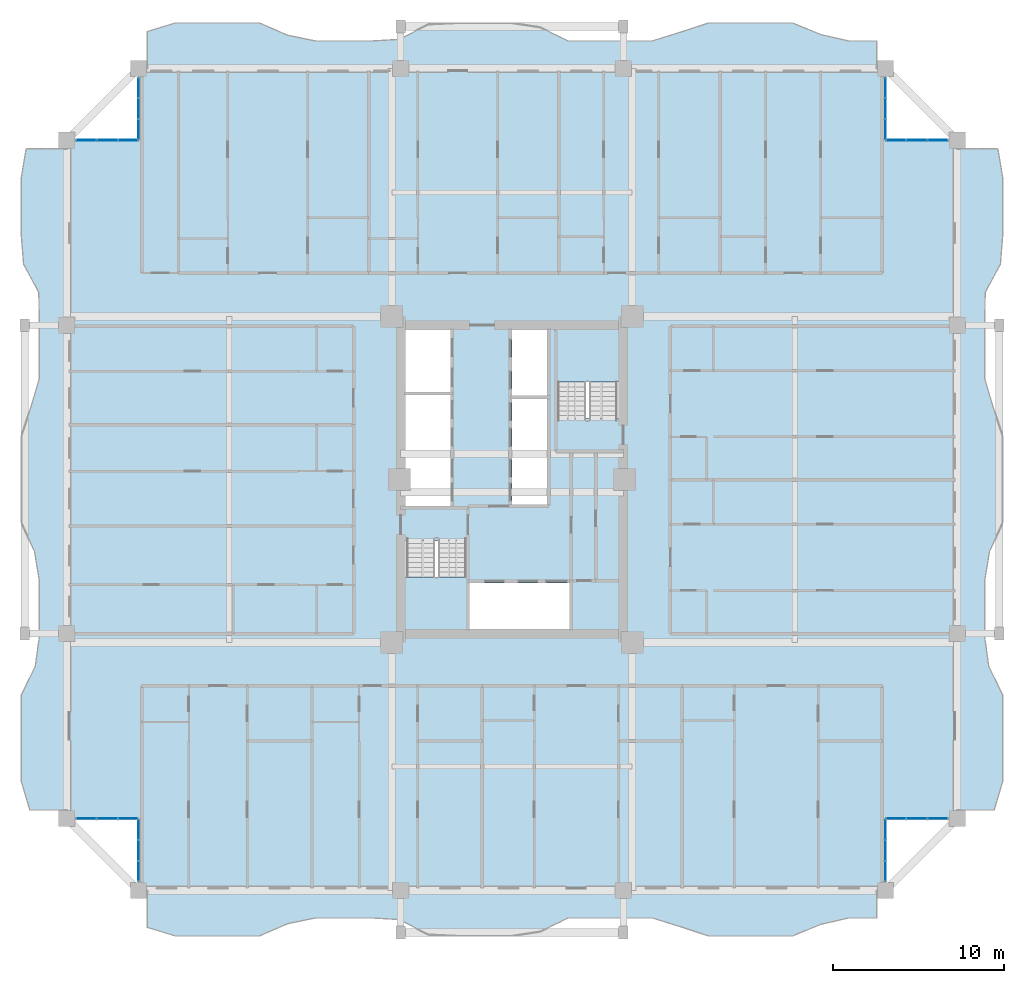
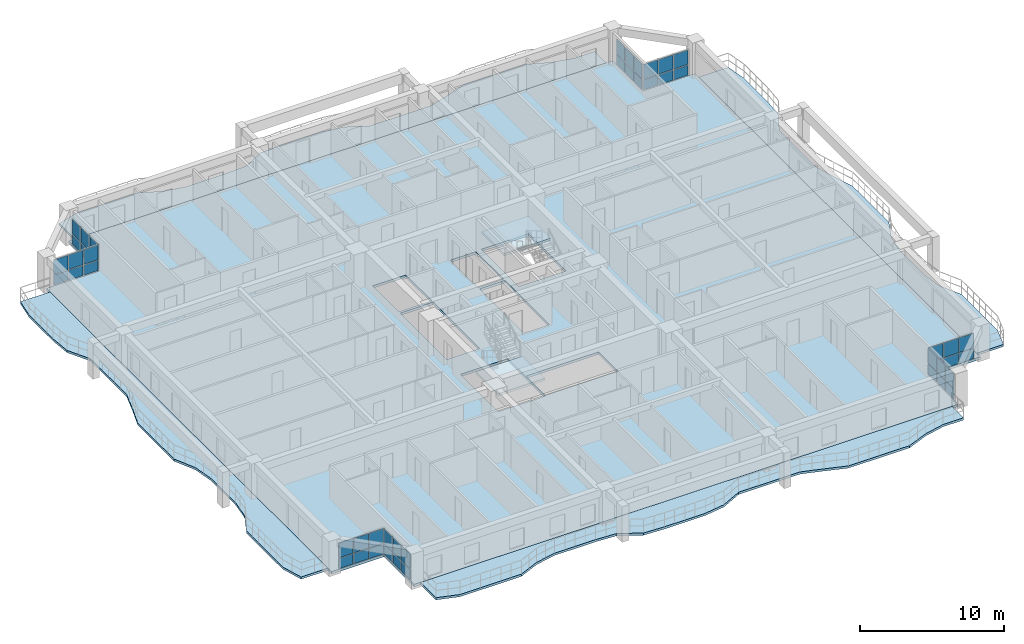
# One storey, part 13 of 26: 48 plates, 7 slabs, 10 elements without a shape of their own.
"""IFC4 building model written with IfcOpenShell, lengths in metres."""

from ifc_helpers import new_model, si_unit, direction, frame, origin, origin_2d, place, context, subcontext, project, spatial, polyline, rectangle, outline, extrude, source, transform, mapped, material, layer, layer_set, type_object, element, aggregate, save


model = new_model("IFC4")

# Units and contexts
model_context = context("Model", 3, precision=1e-05, world=origin(), true_north=direction((0.0, 1.0)))
body_context = subcontext(model_context, "Body", "Model", "MODEL_VIEW")
ifc_project = project(units=[si_unit("LENGTHUNIT", "METRE"), si_unit("AREAUNIT", "SQUARE_METRE"), si_unit("VOLUMEUNIT", "CUBIC_METRE"), si_unit("PLANEANGLEUNIT", "RADIAN"), si_unit("MASSUNIT", "GRAM", prefix="KILO")], contexts=[model_context])

# Site, building, storey
site_placement = place(None, origin())
site = spatial("IfcSite", under=ifc_project, at=site_placement, CompositionType="ELEMENT")
building_placement = place(site_placement, origin())
building = spatial("IfcBuilding", under=site, at=building_placement, Name="Saelheon Loggia Tower", CompositionType="ELEMENT")
storey_placement = place(building_placement, frame((0.0, 0.0, 89.85009765625)))
storey = spatial("IfcBuildingStorey", under=building, at=storey_placement, Name="L28", CompositionType="ELEMENT", Elevation=89.85009765625)

# Slabs
ifc_material_1 = material(Name="Precast Concrete C45/55", Category="concrete")
ifc_layer_1 = layer(ifc_material_1, 0.18994140625)
ifc_layer_set_1 = layer_set([ifc_layer_1], Name="Precast Concrete C45/55")
slab_type_1 = type_object("IfcSlabType", Name="Slab_Loggia_Ext_190", PredefinedType="FLOOR", material=ifc_layer_set_1)
slab_1_placement = place(storey_placement, frame((0.0, 0.0, -0.190185546875)))
element("IfcSlab", 1, at=slab_1_placement, inside=storey, type_object=slab_type_1, Name="L28 Loggia Balcony Slab S", PredefinedType="FLOOR", context=body_context, shape_type="SweptSolid", body=[
    extrude(outline(polyline([(16.699951171875, 0.85009765625), (18.33837890625, 0.35009765625), (19.976806640625, 0.35009765625), (21.615478515625, 0.35009765625), (23.25390625, 0.35009765625), (24.892333984375, 1.0625), (26.53076171875, 1.39990234375), (28.169189453125, 1.39990234375), (29.8076171875, 1.39990234375), (31.4462890625, 1.30517578125), (33.084716796875, 0.430419921875), (34.72314453125, 0.35009765625), (36.361572265625, 0.35009765625), (38.0, 0.35009765625), (39.638427734375, 0.6005859375), (41.27685546875, 1.39990234375), (42.915283203125, 1.39990234375), (44.5537109375, 1.39990234375), (46.1923828125, 1.39990234375), (47.830810546875, 0.8876953125), (49.46923828125, 0.35009765625), (51.107666015625, 0.35009765625), (52.74609375, 0.35009765625), (54.384521484375, 0.35009765625), (56.023193359375, 1.025146484375), (57.66162109375, 1.39990234375), (59.300048828125, 1.39990234375), (59.300048828125, 3.0), (16.699951171875, 3.0), (16.699951171875, 0.85009765625)])), origin(), (0.0, 0.0, 1.0), 0.190185546875),
])
slab_2_placement = place(storey_placement, frame((0.0, 0.0, -0.190185546875)))
element("IfcSlab", 2, at=slab_2_placement, inside=storey, type_object=slab_type_1, Name="L28 Loggia Balcony Slab N", PredefinedType="FLOOR", context=body_context, shape_type="SweptSolid", body=[
    extrude(outline(polyline([(16.699951171875, 51.0), (59.300048828125, 51.0), (59.300048828125, 52.60009765625), (57.66162109375, 52.60009765625), (56.023193359375, 52.974853515625), (54.384521484375, 53.64990234375), (52.74609375, 53.64990234375), (51.107666015625, 53.64990234375), (49.46923828125, 53.64990234375), (47.830810546875, 53.1123046875), (46.1923828125, 52.60009765625), (44.5537109375, 52.60009765625), (42.915283203125, 52.60009765625), (41.27685546875, 52.60009765625), (39.638427734375, 53.3994140625), (38.0, 53.64990234375), (36.361572265625, 53.64990234375), (34.72314453125, 53.64990234375), (33.084716796875, 53.569580078125), (31.4462890625, 52.69482421875), (29.8076171875, 52.60009765625), (28.169189453125, 52.60009765625), (26.53076171875, 52.60009765625), (24.892333984375, 52.9375), (23.25390625, 53.64990234375), (21.615478515625, 53.64990234375), (19.976806640625, 53.64990234375), (18.33837890625, 53.64990234375), (16.699951171875, 53.14990234375), (16.699951171875, 51.0)])), origin(), (0.0, 0.0, 1.0), 0.190185546875),
])
slab_3_placement = place(storey_placement, frame((0.0, 0.0, -0.190185546875)))
element("IfcSlab", 3, at=slab_3_placement, inside=storey, type_object=slab_type_1, Name="L28 Loggia Balcony Slab E", PredefinedType="FLOOR", context=body_context, shape_type="SweptSolid", body=[
    extrude(outline(polyline([(64.0, 7.699951171875), (66.14990234375, 7.699951171875), (66.64990234375, 9.37841796875), (66.64990234375, 11.056396484375), (66.64990234375, 12.73486328125), (66.64990234375, 14.4130859375), (65.83154296875, 16.09130859375), (65.60009765625, 17.76953125), (65.60009765625, 19.44775390625), (65.60009765625, 21.126220703125), (65.88232421875, 22.80419921875), (66.64990234375, 24.482666015625), (66.64990234375, 26.160888671875), (66.64990234375, 27.839111328125), (66.64990234375, 29.517333984375), (66.097900390625, 31.19580078125), (65.60009765625, 32.873779296875), (65.60009765625, 34.55224609375), (65.60009765625, 36.23046875), (65.625244140625, 37.90869140625), (66.518798828125, 39.5869140625), (66.64990234375, 41.26513671875), (66.64990234375, 42.943603515625), (66.64990234375, 44.62158203125), (66.36669921875, 46.300048828125), (64.0, 46.300048828125), (64.0, 7.699951171875)])), origin(), (0.0, 0.0, 1.0), 0.190185546875),
])
slab_4_placement = place(storey_placement, frame((0.0, 0.0, -0.190185546875)))
element("IfcSlab", 4, at=slab_4_placement, inside=storey, type_object=slab_type_1, Name="L28 Loggia Balcony Slab W", PredefinedType="FLOOR", context=body_context, shape_type="SweptSolid", body=[
    extrude(outline(polyline([(12.0, 7.699951171875), (12.0, 46.300048828125), (9.63330078125, 46.300048828125), (9.35009765625, 44.62158203125), (9.35009765625, 42.943603515625), (9.35009765625, 41.26513671875), (9.481201171875, 39.5869140625), (10.374755859375, 37.90869140625), (10.39990234375, 36.23046875), (10.39990234375, 34.55224609375), (10.39990234375, 32.873779296875), (9.902099609375, 31.19580078125), (9.35009765625, 29.517333984375), (9.35009765625, 27.839111328125), (9.35009765625, 26.160888671875), (9.35009765625, 24.482666015625), (10.11767578125, 22.80419921875), (10.39990234375, 21.126220703125), (10.39990234375, 19.44775390625), (10.39990234375, 17.76953125), (10.16845703125, 16.09130859375), (9.35009765625, 14.4130859375), (9.35009765625, 12.73486328125), (9.35009765625, 11.056396484375), (9.35009765625, 9.37841796875), (9.85009765625, 7.699951171875), (12.0, 7.699951171875)])), origin(), (0.0, 0.0, 1.0), 0.190185546875),
])

# Stair, slab
ifc_material_2 = material(Name="Concrete C40/50", Category="concrete")
stair_type = type_object("IfcStairType", Name="Stair_Escape_Core", PredefinedType="HALF_TURN_STAIR", material=ifc_material_2)
stair_1_placement = place(storey_placement, origin())
stair_1 = element("IfcStair", 5, at=stair_1_placement, inside=storey, type_object=stair_type, Name="L28 Special Escape Stair ST1", PredefinedType="HALF_TURN_STAIR")
ifc_layer_2 = layer(ifc_material_2, 0.199951171875)
ifc_layer_set_2 = layer_set([ifc_layer_2], Name="Concrete C40/50")
slab_type_2 = type_object("IfcSlabType", Name="Slab_StairLanding_ST1", PredefinedType="LANDING", material=ifc_layer_set_2)
slab_5_placement = place(storey_placement, frame((0.0, 0.0, 1.2998046875)))
slab_5 = element("IfcSlab", 6, at=slab_5_placement, type_object=slab_type_2, Name="ST1 landing 1", PredefinedType="LANDING", context=body_context, shape_type="SweptSolid", body=[
    extrude(outline(polyline([(31.7099609375, 21.31005859375), (31.7099609375, 18.2099609375), (35.469970703125, 18.2099609375), (35.469970703125, 21.31005859375), (31.7099609375, 21.31005859375)])), origin(), (0.0, 0.0, 1.0), 0.2001953125),
])
aggregate(stair_1, [slab_5])

stair_2_placement = place(storey_placement, origin())
stair_2 = element("IfcStair", 7, at=stair_2_placement, inside=storey, type_object=stair_type, Name="L28 Special Escape Stair ST2", PredefinedType="HALF_TURN_STAIR")
ifc_layer_3 = layer(ifc_material_2, 0.199951171875)
ifc_layer_set_3 = layer_set([ifc_layer_3], Name="Concrete C40/50")
slab_type_3 = type_object("IfcSlabType", Name="Slab_StairLanding_ST2", PredefinedType="LANDING", material=ifc_layer_set_3)
slab_6_placement = place(storey_placement, frame((0.0, 0.0, 1.2998046875)))
slab_6 = element("IfcSlab", 8, at=slab_6_placement, type_object=slab_type_3, Name="ST2 landing 1", PredefinedType="LANDING", context=body_context, shape_type="SweptSolid", body=[
    extrude(outline(polyline([(44.2900390625, 32.68994140625), (44.2900390625, 35.7900390625), (40.530029296875, 35.7900390625), (40.530029296875, 32.68994140625), (44.2900390625, 32.68994140625)])), origin(), (0.0, 0.0, 1.0), 0.2001953125),
])
aggregate(stair_2, [slab_6])

# Slab
ifc_layer_4 = layer(ifc_material_2, 0.2099609375)
ifc_layer_set_4 = layer_set([ifc_layer_4], Name="Concrete C40/50")
slab_type_4 = type_object("IfcSlabType", Name="Slab_Tower_210", PredefinedType="FLOOR", material=ifc_layer_set_4)
slab_7_placement = place(storey_placement, frame((0.0, 0.0, -0.210205078125)))
element("IfcSlab", 9, at=slab_7_placement, inside=storey, type_object=slab_type_4, Name="L28 Tower Floor Slab", PredefinedType="FLOOR", context=body_context, shape_type="SweptSolid", body=[
    extrude(outline(polyline([(16.199951171875, 3.0), (59.800048828125, 3.0), (59.800048828125, 7.199951171875), (64.0, 7.199951171875), (64.0, 46.800048828125), (59.800048828125, 46.800048828125), (59.800048828125, 51.0), (16.199951171875, 51.0), (16.199951171875, 46.800048828125), (12.0, 46.800048828125), (12.0, 7.199951171875), (16.199951171875, 7.199951171875), (16.199951171875, 3.0)]), holes=[polyline([(31.699951171875, 23.409912109375), (31.699951171875, 18.199951171875), (35.47998046875, 18.199951171875), (35.47998046875, 23.409912109375), (31.699951171875, 23.409912109375)]), polyline([(44.300048828125, 30.590087890625), (44.300048828125, 35.800048828125), (40.52001953125, 35.800048828125), (40.52001953125, 30.590087890625), (44.300048828125, 30.590087890625)]), polyline([(35.530029296875, 18.27490234375), (41.35009765625, 18.27490234375), (41.35009765625, 20.9599609375), (35.530029296875, 20.9599609375), (35.530029296875, 18.27490234375)]), polyline([(31.77490234375, 32.1201171875), (34.419921875, 32.1201171875), (34.419921875, 35.72509765625), (31.77490234375, 35.72509765625), (31.77490234375, 32.1201171875)]), polyline([(38.0, 31.89990234375), (40.050048828125, 31.89990234375), (40.050048828125, 35.72509765625), (38.0, 35.72509765625), (38.0, 31.89990234375)]), polyline([(31.77490234375, 25.449951171875), (34.419921875, 25.449951171875), (34.419921875, 31.919921875), (31.77490234375, 31.919921875), (31.77490234375, 25.449951171875)]), polyline([(38.0, 25.5400390625), (40.050048828125, 25.5400390625), (40.050048828125, 31.699951171875), (38.0, 31.699951171875), (38.0, 25.5400390625)])]), origin(), (0.0, 0.0, 1.0), 0.210205078125),
])

# Curtain wall, plates
ifc_material_3 = material(Name="Thermal-Break Aluminium and Triple Low-E Glass", Category="aluminium")
ifc_layer_5 = layer(ifc_material_3, 0.159912109375)
ifc_layer_set_5 = layer_set([ifc_layer_5], Name="Thermal-Break Aluminium and Triple Low-E Glass")
curtain_wall_type = type_object("IfcCurtainWallType", Name="CW_TowerLoggiaLow", PredefinedType="NOTDEFINED", material=ifc_layer_set_5)
curtain_wall_1_placement = place(storey_placement, origin())
curtain_wall_1 = element("IfcCurtainWall", 10, at=curtain_wall_1_placement, inside=storey, type_object=curtain_wall_type, Name="L28 Corner Notch Glazing SW1", PredefinedType="NOTDEFINED")
ifc_material_4 = material(Name="Triple Low-E Laminated Glazing", Category="glass")
ifc_layer_6 = layer(ifc_material_4, 0.0419921875)
ifc_layer_set_6 = layer_set([ifc_layer_6], Name="Triple Low-E Laminated Glazing")
plate_type = type_object("IfcPlateType", Name="CW_TowerLoggiaLow_Panel", PredefinedType="CURTAIN_PANEL", material=ifc_layer_set_6)
shared_shape_1 = source(origin(), body_context, "Body", "SweptSolid", [
    extrude(rectangle(XDim=1.130859375, YDim=0.0419921875, at=origin_2d()), origin(), (0.0, 0.0, 1.0), 0.8525390625),
])
plate_1_placement = place(storey_placement, frame((16.199951171875, 4.1455078125, 0.06494140625), z_axis=(0.0, 0.0, 1.0), x_axis=(0.0, 1.0, 0.0)))
plate_1 = element("IfcPlate", 11, at=plate_1_placement, type_object=plate_type, Name="CW3 panel 1.1", PredefinedType="CURTAIN_PANEL", context=body_context, shape_type="MappedRepresentation", body=[
    mapped(shared_shape_1, transform((0.0, 0.0, 0.0), scale=1.0)),
])
plate_2_placement = place(storey_placement, frame((16.199951171875, 6.569580078125, 0.06494140625), z_axis=(0.0, 0.0, 1.0), x_axis=(0.0, 1.0, 0.0)))
plate_2 = element("IfcPlate", 12, at=plate_2_placement, type_object=plate_type, Name="CW3 panel 3.1", PredefinedType="CURTAIN_PANEL", context=body_context, shape_type="MappedRepresentation", body=[
    mapped(shared_shape_1, transform((0.0, 0.0, 0.0), scale=1.0)),
])

curtain_wall_2_placement = place(storey_placement, origin())
curtain_wall_2 = element("IfcCurtainWall", 13, at=curtain_wall_2_placement, inside=storey, type_object=curtain_wall_type, Name="L28 Corner Notch Glazing SW2", PredefinedType="NOTDEFINED")
plate_3_placement = place(storey_placement, frame((13.1455078125, 7.199951171875, 0.06494140625), z_axis=(0.0, 0.0, 1.0), x_axis=(1.0, 0.0, 0.0)))
plate_3 = element("IfcPlate", 14, at=plate_3_placement, type_object=plate_type, Name="CW3 panel 1.1", PredefinedType="CURTAIN_PANEL", context=body_context, shape_type="MappedRepresentation", body=[
    mapped(shared_shape_1, transform((0.0, 0.0, 0.0), scale=1.0)),
])
plate_4_placement = place(storey_placement, frame((15.569580078125, 7.199951171875, 0.06494140625), z_axis=(0.0, 0.0, 1.0), x_axis=(1.0, 0.0, 0.0)))
plate_4 = element("IfcPlate", 15, at=plate_4_placement, type_object=plate_type, Name="CW3 panel 3.1", PredefinedType="CURTAIN_PANEL", context=body_context, shape_type="MappedRepresentation", body=[
    mapped(shared_shape_1, transform((0.0, 0.0, 0.0), scale=1.0)),
])

curtain_wall_3_placement = place(storey_placement, origin())
curtain_wall_3 = element("IfcCurtainWall", 16, at=curtain_wall_3_placement, inside=storey, type_object=curtain_wall_type, Name="L28 Corner Notch Glazing SE1", PredefinedType="NOTDEFINED")
plate_5_placement = place(storey_placement, frame((59.800048828125, 4.1455078125, 0.06494140625), z_axis=(0.0, 0.0, 1.0), x_axis=(0.0, 1.0, 0.0)))
plate_5 = element("IfcPlate", 17, at=plate_5_placement, type_object=plate_type, Name="CW3 panel 1.1", PredefinedType="CURTAIN_PANEL", context=body_context, shape_type="MappedRepresentation", body=[
    mapped(shared_shape_1, transform((0.0, 0.0, 0.0), scale=1.0)),
])
plate_6_placement = place(storey_placement, frame((59.800048828125, 6.569580078125, 0.06494140625), z_axis=(0.0, 0.0, 1.0), x_axis=(0.0, 1.0, 0.0)))
plate_6 = element("IfcPlate", 18, at=plate_6_placement, type_object=plate_type, Name="CW3 panel 3.1", PredefinedType="CURTAIN_PANEL", context=body_context, shape_type="MappedRepresentation", body=[
    mapped(shared_shape_1, transform((0.0, 0.0, 0.0), scale=1.0)),
])

curtain_wall_4_placement = place(storey_placement, origin())
curtain_wall_4 = element("IfcCurtainWall", 19, at=curtain_wall_4_placement, inside=storey, type_object=curtain_wall_type, Name="L28 Corner Notch Glazing SE2", PredefinedType="NOTDEFINED")
plate_7_placement = place(storey_placement, frame((60.430419921875, 7.199951171875, 0.06494140625), z_axis=(0.0, 0.0, 1.0), x_axis=(1.0, 0.0, 0.0)))
plate_7 = element("IfcPlate", 20, at=plate_7_placement, type_object=plate_type, Name="CW3 panel 1.1", PredefinedType="CURTAIN_PANEL", context=body_context, shape_type="MappedRepresentation", body=[
    mapped(shared_shape_1, transform((0.0, 0.0, 0.0), scale=1.0)),
])
plate_8_placement = place(storey_placement, frame((62.8544921875, 7.199951171875, 0.06494140625), z_axis=(0.0, 0.0, 1.0), x_axis=(1.0, 0.0, 0.0)))
plate_8 = element("IfcPlate", 21, at=plate_8_placement, type_object=plate_type, Name="CW3 panel 3.1", PredefinedType="CURTAIN_PANEL", context=body_context, shape_type="MappedRepresentation", body=[
    mapped(shared_shape_1, transform((0.0, 0.0, 0.0), scale=1.0)),
])

curtain_wall_5_placement = place(storey_placement, origin())
curtain_wall_5 = element("IfcCurtainWall", 22, at=curtain_wall_5_placement, inside=storey, type_object=curtain_wall_type, Name="L28 Corner Notch Glazing NW1", PredefinedType="NOTDEFINED")
plate_9_placement = place(storey_placement, frame((16.199951171875, 47.430419921875, 0.06494140625), z_axis=(0.0, 0.0, 1.0), x_axis=(0.0, 1.0, 0.0)))
plate_9 = element("IfcPlate", 23, at=plate_9_placement, type_object=plate_type, Name="CW3 panel 1.1", PredefinedType="CURTAIN_PANEL", context=body_context, shape_type="MappedRepresentation", body=[
    mapped(shared_shape_1, transform((0.0, 0.0, 0.0), scale=1.0)),
])
plate_10_placement = place(storey_placement, frame((16.199951171875, 49.8544921875, 0.06494140625), z_axis=(0.0, 0.0, 1.0), x_axis=(0.0, 1.0, 0.0)))
plate_10 = element("IfcPlate", 24, at=plate_10_placement, type_object=plate_type, Name="CW3 panel 3.1", PredefinedType="CURTAIN_PANEL", context=body_context, shape_type="MappedRepresentation", body=[
    mapped(shared_shape_1, transform((0.0, 0.0, 0.0), scale=1.0)),
])

curtain_wall_6_placement = place(storey_placement, origin())
curtain_wall_6 = element("IfcCurtainWall", 25, at=curtain_wall_6_placement, inside=storey, type_object=curtain_wall_type, Name="L28 Corner Notch Glazing NW2", PredefinedType="NOTDEFINED")
plate_11_placement = place(storey_placement, frame((13.1455078125, 46.800048828125, 0.06494140625), z_axis=(0.0, 0.0, 1.0), x_axis=(1.0, 0.0, 0.0)))
plate_11 = element("IfcPlate", 26, at=plate_11_placement, type_object=plate_type, Name="CW3 panel 1.1", PredefinedType="CURTAIN_PANEL", context=body_context, shape_type="MappedRepresentation", body=[
    mapped(shared_shape_1, transform((0.0, 0.0, 0.0), scale=1.0)),
])
plate_12_placement = place(storey_placement, frame((15.569580078125, 46.800048828125, 0.06494140625), z_axis=(0.0, 0.0, 1.0), x_axis=(1.0, 0.0, 0.0)))
plate_12 = element("IfcPlate", 27, at=plate_12_placement, type_object=plate_type, Name="CW3 panel 3.1", PredefinedType="CURTAIN_PANEL", context=body_context, shape_type="MappedRepresentation", body=[
    mapped(shared_shape_1, transform((0.0, 0.0, 0.0), scale=1.0)),
])

curtain_wall_7_placement = place(storey_placement, origin())
curtain_wall_7 = element("IfcCurtainWall", 28, at=curtain_wall_7_placement, inside=storey, type_object=curtain_wall_type, Name="L28 Corner Notch Glazing NE1", PredefinedType="NOTDEFINED")
plate_13_placement = place(storey_placement, frame((59.800048828125, 47.430419921875, 0.06494140625), z_axis=(0.0, 0.0, 1.0), x_axis=(0.0, 1.0, 0.0)))
plate_13 = element("IfcPlate", 29, at=plate_13_placement, type_object=plate_type, Name="CW3 panel 1.1", PredefinedType="CURTAIN_PANEL", context=body_context, shape_type="MappedRepresentation", body=[
    mapped(shared_shape_1, transform((0.0, 0.0, 0.0), scale=1.0)),
])
plate_14_placement = place(storey_placement, frame((59.800048828125, 49.8544921875, 0.06494140625), z_axis=(0.0, 0.0, 1.0), x_axis=(0.0, 1.0, 0.0)))
plate_14 = element("IfcPlate", 30, at=plate_14_placement, type_object=plate_type, Name="CW3 panel 3.1", PredefinedType="CURTAIN_PANEL", context=body_context, shape_type="MappedRepresentation", body=[
    mapped(shared_shape_1, transform((0.0, 0.0, 0.0), scale=1.0)),
])

curtain_wall_8_placement = place(storey_placement, origin())
curtain_wall_8 = element("IfcCurtainWall", 31, at=curtain_wall_8_placement, inside=storey, type_object=curtain_wall_type, Name="L28 Corner Notch Glazing NE2", PredefinedType="NOTDEFINED")
plate_15_placement = place(storey_placement, frame((60.430419921875, 46.800048828125, 0.06494140625), z_axis=(0.0, 0.0, 1.0), x_axis=(1.0, 0.0, 0.0)))
plate_15 = element("IfcPlate", 32, at=plate_15_placement, type_object=plate_type, Name="CW3 panel 1.1", PredefinedType="CURTAIN_PANEL", context=body_context, shape_type="MappedRepresentation", body=[
    mapped(shared_shape_1, transform((0.0, 0.0, 0.0), scale=1.0)),
])
plate_16_placement = place(storey_placement, frame((62.8544921875, 46.800048828125, 0.06494140625), z_axis=(0.0, 0.0, 1.0), x_axis=(1.0, 0.0, 0.0)))
plate_16 = element("IfcPlate", 33, at=plate_16_placement, type_object=plate_type, Name="CW3 panel 3.1", PredefinedType="CURTAIN_PANEL", context=body_context, shape_type="MappedRepresentation", body=[
    mapped(shared_shape_1, transform((0.0, 0.0, 0.0), scale=1.0)),
])

# Plate
shared_shape_2 = source(origin(), body_context, "Body", "SweptSolid", [
    extrude(rectangle(XDim=1.130859375, YDim=0.0419921875, at=origin_2d()), origin(), (0.0, 0.0, 1.0), 1.232421875),
])
plate_17_placement = place(storey_placement, frame((16.199951171875, 4.1455078125, 0.982421875), z_axis=(0.0, 0.0, 1.0), x_axis=(0.0, 1.0, 0.0)))
plate_17 = element("IfcPlate", 34, at=plate_17_placement, type_object=plate_type, Name="CW3 panel 1.2", PredefinedType="CURTAIN_PANEL", context=body_context, shape_type="MappedRepresentation", body=[
    mapped(shared_shape_2, transform((0.0, 0.0, 0.0), scale=1.0)),
])

plate_18_placement = place(storey_placement, frame((16.199951171875, 6.569580078125, 0.982421875), z_axis=(0.0, 0.0, 1.0), x_axis=(0.0, 1.0, 0.0)))
plate_18 = element("IfcPlate", 35, at=plate_18_placement, type_object=plate_type, Name="CW3 panel 3.2", PredefinedType="CURTAIN_PANEL", context=body_context, shape_type="MappedRepresentation", body=[
    mapped(shared_shape_2, transform((0.0, 0.0, 0.0), scale=1.0)),
])

plate_19_placement = place(storey_placement, frame((13.1455078125, 7.199951171875, 0.982421875), z_axis=(0.0, 0.0, 1.0), x_axis=(1.0, 0.0, 0.0)))
plate_19 = element("IfcPlate", 36, at=plate_19_placement, type_object=plate_type, Name="CW3 panel 1.2", PredefinedType="CURTAIN_PANEL", context=body_context, shape_type="MappedRepresentation", body=[
    mapped(shared_shape_2, transform((0.0, 0.0, 0.0), scale=1.0)),
])

plate_20_placement = place(storey_placement, frame((15.569580078125, 7.199951171875, 0.982421875), z_axis=(0.0, 0.0, 1.0), x_axis=(1.0, 0.0, 0.0)))
plate_20 = element("IfcPlate", 37, at=plate_20_placement, type_object=plate_type, Name="CW3 panel 3.2", PredefinedType="CURTAIN_PANEL", context=body_context, shape_type="MappedRepresentation", body=[
    mapped(shared_shape_2, transform((0.0, 0.0, 0.0), scale=1.0)),
])

plate_21_placement = place(storey_placement, frame((59.800048828125, 4.1455078125, 0.982421875), z_axis=(0.0, 0.0, 1.0), x_axis=(0.0, 1.0, 0.0)))
plate_21 = element("IfcPlate", 38, at=plate_21_placement, type_object=plate_type, Name="CW3 panel 1.2", PredefinedType="CURTAIN_PANEL", context=body_context, shape_type="MappedRepresentation", body=[
    mapped(shared_shape_2, transform((0.0, 0.0, 0.0), scale=1.0)),
])

plate_22_placement = place(storey_placement, frame((59.800048828125, 6.569580078125, 0.982421875), z_axis=(0.0, 0.0, 1.0), x_axis=(0.0, 1.0, 0.0)))
plate_22 = element("IfcPlate", 39, at=plate_22_placement, type_object=plate_type, Name="CW3 panel 3.2", PredefinedType="CURTAIN_PANEL", context=body_context, shape_type="MappedRepresentation", body=[
    mapped(shared_shape_2, transform((0.0, 0.0, 0.0), scale=1.0)),
])

plate_23_placement = place(storey_placement, frame((60.430419921875, 7.199951171875, 0.982421875), z_axis=(0.0, 0.0, 1.0), x_axis=(1.0, 0.0, 0.0)))
plate_23 = element("IfcPlate", 40, at=plate_23_placement, type_object=plate_type, Name="CW3 panel 1.2", PredefinedType="CURTAIN_PANEL", context=body_context, shape_type="MappedRepresentation", body=[
    mapped(shared_shape_2, transform((0.0, 0.0, 0.0), scale=1.0)),
])

plate_24_placement = place(storey_placement, frame((62.8544921875, 7.199951171875, 0.982421875), z_axis=(0.0, 0.0, 1.0), x_axis=(1.0, 0.0, 0.0)))
plate_24 = element("IfcPlate", 41, at=plate_24_placement, type_object=plate_type, Name="CW3 panel 3.2", PredefinedType="CURTAIN_PANEL", context=body_context, shape_type="MappedRepresentation", body=[
    mapped(shared_shape_2, transform((0.0, 0.0, 0.0), scale=1.0)),
])

plate_25_placement = place(storey_placement, frame((16.199951171875, 47.430419921875, 0.982421875), z_axis=(0.0, 0.0, 1.0), x_axis=(0.0, 1.0, 0.0)))
plate_25 = element("IfcPlate", 42, at=plate_25_placement, type_object=plate_type, Name="CW3 panel 1.2", PredefinedType="CURTAIN_PANEL", context=body_context, shape_type="MappedRepresentation", body=[
    mapped(shared_shape_2, transform((0.0, 0.0, 0.0), scale=1.0)),
])

plate_26_placement = place(storey_placement, frame((16.199951171875, 49.8544921875, 0.982421875), z_axis=(0.0, 0.0, 1.0), x_axis=(0.0, 1.0, 0.0)))
plate_26 = element("IfcPlate", 43, at=plate_26_placement, type_object=plate_type, Name="CW3 panel 3.2", PredefinedType="CURTAIN_PANEL", context=body_context, shape_type="MappedRepresentation", body=[
    mapped(shared_shape_2, transform((0.0, 0.0, 0.0), scale=1.0)),
])

plate_27_placement = place(storey_placement, frame((13.1455078125, 46.800048828125, 0.982421875), z_axis=(0.0, 0.0, 1.0), x_axis=(1.0, 0.0, 0.0)))
plate_27 = element("IfcPlate", 44, at=plate_27_placement, type_object=plate_type, Name="CW3 panel 1.2", PredefinedType="CURTAIN_PANEL", context=body_context, shape_type="MappedRepresentation", body=[
    mapped(shared_shape_2, transform((0.0, 0.0, 0.0), scale=1.0)),
])

plate_28_placement = place(storey_placement, frame((15.569580078125, 46.800048828125, 0.982421875), z_axis=(0.0, 0.0, 1.0), x_axis=(1.0, 0.0, 0.0)))
plate_28 = element("IfcPlate", 45, at=plate_28_placement, type_object=plate_type, Name="CW3 panel 3.2", PredefinedType="CURTAIN_PANEL", context=body_context, shape_type="MappedRepresentation", body=[
    mapped(shared_shape_2, transform((0.0, 0.0, 0.0), scale=1.0)),
])

plate_29_placement = place(storey_placement, frame((59.800048828125, 47.430419921875, 0.982421875), z_axis=(0.0, 0.0, 1.0), x_axis=(0.0, 1.0, 0.0)))
plate_29 = element("IfcPlate", 46, at=plate_29_placement, type_object=plate_type, Name="CW3 panel 1.2", PredefinedType="CURTAIN_PANEL", context=body_context, shape_type="MappedRepresentation", body=[
    mapped(shared_shape_2, transform((0.0, 0.0, 0.0), scale=1.0)),
])

plate_30_placement = place(storey_placement, frame((59.800048828125, 49.8544921875, 0.982421875), z_axis=(0.0, 0.0, 1.0), x_axis=(0.0, 1.0, 0.0)))
plate_30 = element("IfcPlate", 47, at=plate_30_placement, type_object=plate_type, Name="CW3 panel 3.2", PredefinedType="CURTAIN_PANEL", context=body_context, shape_type="MappedRepresentation", body=[
    mapped(shared_shape_2, transform((0.0, 0.0, 0.0), scale=1.0)),
])

plate_31_placement = place(storey_placement, frame((60.430419921875, 46.800048828125, 0.982421875), z_axis=(0.0, 0.0, 1.0), x_axis=(1.0, 0.0, 0.0)))
plate_31 = element("IfcPlate", 48, at=plate_31_placement, type_object=plate_type, Name="CW3 panel 1.2", PredefinedType="CURTAIN_PANEL", context=body_context, shape_type="MappedRepresentation", body=[
    mapped(shared_shape_2, transform((0.0, 0.0, 0.0), scale=1.0)),
])

plate_32_placement = place(storey_placement, frame((62.8544921875, 46.800048828125, 0.982421875), z_axis=(0.0, 0.0, 1.0), x_axis=(1.0, 0.0, 0.0)))
plate_32 = element("IfcPlate", 49, at=plate_32_placement, type_object=plate_type, Name="CW3 panel 3.2", PredefinedType="CURTAIN_PANEL", context=body_context, shape_type="MappedRepresentation", body=[
    mapped(shared_shape_2, transform((0.0, 0.0, 0.0), scale=1.0)),
])

shared_shape_3 = source(origin(), body_context, "Body", "SweptSolid", [
    extrude(rectangle(XDim=1.163330078125, YDim=0.0419921875, at=origin_2d()), origin(), (0.0, 0.0, 1.0), 0.8525390625),
])
plate_33_placement = place(storey_placement, frame((16.199951171875, 5.357421875, 0.06494140625), z_axis=(0.0, 0.0, 1.0), x_axis=(0.0, 1.0, 0.0)))
plate_33 = element("IfcPlate", 50, at=plate_33_placement, type_object=plate_type, Name="CW3 panel 2.1", PredefinedType="CURTAIN_PANEL", context=body_context, shape_type="MappedRepresentation", body=[
    mapped(shared_shape_3, transform((0.0, 0.0, 0.0), scale=1.0)),
])

plate_34_placement = place(storey_placement, frame((14.357421875, 7.199951171875, 0.06494140625), z_axis=(0.0, 0.0, 1.0), x_axis=(1.0, 0.0, 0.0)))
plate_34 = element("IfcPlate", 51, at=plate_34_placement, type_object=plate_type, Name="CW3 panel 2.1", PredefinedType="CURTAIN_PANEL", context=body_context, shape_type="MappedRepresentation", body=[
    mapped(shared_shape_3, transform((0.0, 0.0, 0.0), scale=1.0)),
])

plate_35_placement = place(storey_placement, frame((59.800048828125, 5.357421875, 0.06494140625), z_axis=(0.0, 0.0, 1.0), x_axis=(0.0, 1.0, 0.0)))
plate_35 = element("IfcPlate", 52, at=plate_35_placement, type_object=plate_type, Name="CW3 panel 2.1", PredefinedType="CURTAIN_PANEL", context=body_context, shape_type="MappedRepresentation", body=[
    mapped(shared_shape_3, transform((0.0, 0.0, 0.0), scale=1.0)),
])

plate_36_placement = place(storey_placement, frame((61.642578125, 7.199951171875, 0.06494140625), z_axis=(0.0, 0.0, 1.0), x_axis=(1.0, 0.0, 0.0)))
plate_36 = element("IfcPlate", 53, at=plate_36_placement, type_object=plate_type, Name="CW3 panel 2.1", PredefinedType="CURTAIN_PANEL", context=body_context, shape_type="MappedRepresentation", body=[
    mapped(shared_shape_3, transform((0.0, 0.0, 0.0), scale=1.0)),
])

plate_37_placement = place(storey_placement, frame((16.199951171875, 48.642578125, 0.06494140625), z_axis=(0.0, 0.0, 1.0), x_axis=(0.0, 1.0, 0.0)))
plate_37 = element("IfcPlate", 54, at=plate_37_placement, type_object=plate_type, Name="CW3 panel 2.1", PredefinedType="CURTAIN_PANEL", context=body_context, shape_type="MappedRepresentation", body=[
    mapped(shared_shape_3, transform((0.0, 0.0, 0.0), scale=1.0)),
])

plate_38_placement = place(storey_placement, frame((14.357421875, 46.800048828125, 0.06494140625), z_axis=(0.0, 0.0, 1.0), x_axis=(1.0, 0.0, 0.0)))
plate_38 = element("IfcPlate", 55, at=plate_38_placement, type_object=plate_type, Name="CW3 panel 2.1", PredefinedType="CURTAIN_PANEL", context=body_context, shape_type="MappedRepresentation", body=[
    mapped(shared_shape_3, transform((0.0, 0.0, 0.0), scale=1.0)),
])

plate_39_placement = place(storey_placement, frame((59.800048828125, 48.642578125, 0.06494140625), z_axis=(0.0, 0.0, 1.0), x_axis=(0.0, 1.0, 0.0)))
plate_39 = element("IfcPlate", 56, at=plate_39_placement, type_object=plate_type, Name="CW3 panel 2.1", PredefinedType="CURTAIN_PANEL", context=body_context, shape_type="MappedRepresentation", body=[
    mapped(shared_shape_3, transform((0.0, 0.0, 0.0), scale=1.0)),
])

plate_40_placement = place(storey_placement, frame((61.642578125, 46.800048828125, 0.06494140625), z_axis=(0.0, 0.0, 1.0), x_axis=(1.0, 0.0, 0.0)))
plate_40 = element("IfcPlate", 57, at=plate_40_placement, type_object=plate_type, Name="CW3 panel 2.1", PredefinedType="CURTAIN_PANEL", context=body_context, shape_type="MappedRepresentation", body=[
    mapped(shared_shape_3, transform((0.0, 0.0, 0.0), scale=1.0)),
])

shared_shape_4 = source(origin(), body_context, "Body", "SweptSolid", [
    extrude(rectangle(XDim=1.163330078125, YDim=0.0419921875, at=origin_2d()), origin(), (0.0, 0.0, 1.0), 1.232421875),
])
plate_41_placement = place(storey_placement, frame((16.199951171875, 5.357421875, 0.982421875), z_axis=(0.0, 0.0, 1.0), x_axis=(0.0, 1.0, 0.0)))
plate_41 = element("IfcPlate", 58, at=plate_41_placement, type_object=plate_type, Name="CW3 panel 2.2", PredefinedType="CURTAIN_PANEL", context=body_context, shape_type="MappedRepresentation", body=[
    mapped(shared_shape_4, transform((0.0, 0.0, 0.0), scale=1.0)),
])

aggregate(curtain_wall_1, [plate_1, plate_17, plate_33, plate_41, plate_2, plate_18])

plate_42_placement = place(storey_placement, frame((14.357421875, 7.199951171875, 0.982421875), z_axis=(0.0, 0.0, 1.0), x_axis=(1.0, 0.0, 0.0)))
plate_42 = element("IfcPlate", 59, at=plate_42_placement, type_object=plate_type, Name="CW3 panel 2.2", PredefinedType="CURTAIN_PANEL", context=body_context, shape_type="MappedRepresentation", body=[
    mapped(shared_shape_4, transform((0.0, 0.0, 0.0), scale=1.0)),
])

aggregate(curtain_wall_2, [plate_3, plate_19, plate_34, plate_42, plate_4, plate_20])

plate_43_placement = place(storey_placement, frame((59.800048828125, 5.357421875, 0.982421875), z_axis=(0.0, 0.0, 1.0), x_axis=(0.0, 1.0, 0.0)))
plate_43 = element("IfcPlate", 60, at=plate_43_placement, type_object=plate_type, Name="CW3 panel 2.2", PredefinedType="CURTAIN_PANEL", context=body_context, shape_type="MappedRepresentation", body=[
    mapped(shared_shape_4, transform((0.0, 0.0, 0.0), scale=1.0)),
])

aggregate(curtain_wall_3, [plate_5, plate_21, plate_35, plate_43, plate_6, plate_22])

plate_44_placement = place(storey_placement, frame((61.642578125, 7.199951171875, 0.982421875), z_axis=(0.0, 0.0, 1.0), x_axis=(1.0, 0.0, 0.0)))
plate_44 = element("IfcPlate", 61, at=plate_44_placement, type_object=plate_type, Name="CW3 panel 2.2", PredefinedType="CURTAIN_PANEL", context=body_context, shape_type="MappedRepresentation", body=[
    mapped(shared_shape_4, transform((0.0, 0.0, 0.0), scale=1.0)),
])

aggregate(curtain_wall_4, [plate_7, plate_23, plate_36, plate_44, plate_8, plate_24])

plate_45_placement = place(storey_placement, frame((16.199951171875, 48.642578125, 0.982421875), z_axis=(0.0, 0.0, 1.0), x_axis=(0.0, 1.0, 0.0)))
plate_45 = element("IfcPlate", 62, at=plate_45_placement, type_object=plate_type, Name="CW3 panel 2.2", PredefinedType="CURTAIN_PANEL", context=body_context, shape_type="MappedRepresentation", body=[
    mapped(shared_shape_4, transform((0.0, 0.0, 0.0), scale=1.0)),
])

aggregate(curtain_wall_5, [plate_9, plate_25, plate_37, plate_45, plate_10, plate_26])

plate_46_placement = place(storey_placement, frame((14.357421875, 46.800048828125, 0.982421875), z_axis=(0.0, 0.0, 1.0), x_axis=(1.0, 0.0, 0.0)))
plate_46 = element("IfcPlate", 63, at=plate_46_placement, type_object=plate_type, Name="CW3 panel 2.2", PredefinedType="CURTAIN_PANEL", context=body_context, shape_type="MappedRepresentation", body=[
    mapped(shared_shape_4, transform((0.0, 0.0, 0.0), scale=1.0)),
])

aggregate(curtain_wall_6, [plate_11, plate_27, plate_38, plate_46, plate_12, plate_28])

plate_47_placement = place(storey_placement, frame((59.800048828125, 48.642578125, 0.982421875), z_axis=(0.0, 0.0, 1.0), x_axis=(0.0, 1.0, 0.0)))
plate_47 = element("IfcPlate", 64, at=plate_47_placement, type_object=plate_type, Name="CW3 panel 2.2", PredefinedType="CURTAIN_PANEL", context=body_context, shape_type="MappedRepresentation", body=[
    mapped(shared_shape_4, transform((0.0, 0.0, 0.0), scale=1.0)),
])

aggregate(curtain_wall_7, [plate_13, plate_29, plate_39, plate_47, plate_14, plate_30])

plate_48_placement = place(storey_placement, frame((61.642578125, 46.800048828125, 0.982421875), z_axis=(0.0, 0.0, 1.0), x_axis=(1.0, 0.0, 0.0)))
plate_48 = element("IfcPlate", 65, at=plate_48_placement, type_object=plate_type, Name="CW3 panel 2.2", PredefinedType="CURTAIN_PANEL", context=body_context, shape_type="MappedRepresentation", body=[
    mapped(shared_shape_4, transform((0.0, 0.0, 0.0), scale=1.0)),
])

aggregate(curtain_wall_8, [plate_15, plate_31, plate_40, plate_48, plate_16, plate_32])

save(model, "model.ifc")
